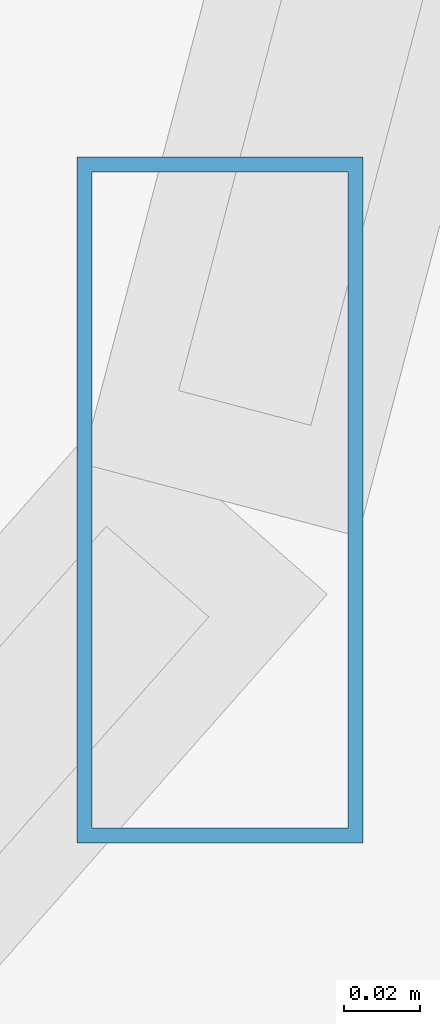
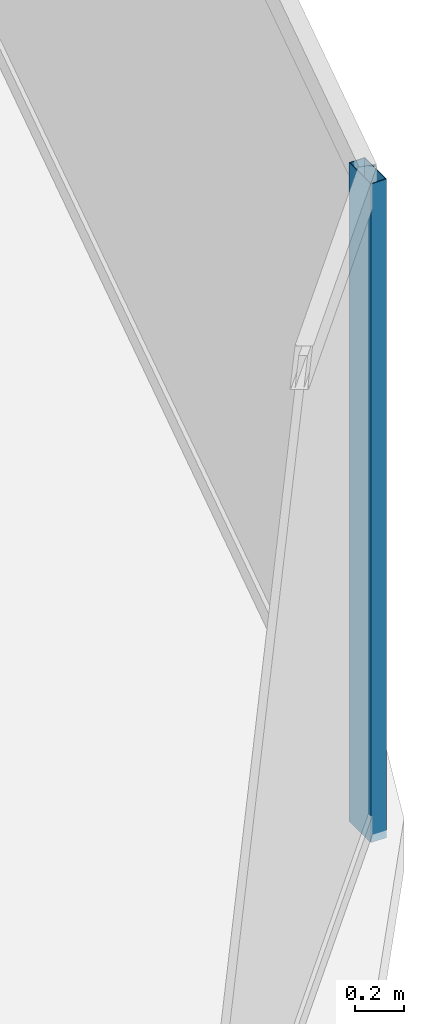
# One storey, part 14 of 31: 1 member, 1 element without a shape of its own.
"""IFC4 building model written with IfcOpenShell, lengths in metres."""

from ifc_helpers import new_model, si_unit, direction, frame, origin, origin_2d, place, context, subcontext, project, spatial, hollow_rectangle, extrude, material, material_profile, profile_set, type_object, element, aggregate, save


model = new_model("IFC4")

# Units and contexts
model_context = context("Model", 3, precision=1e-05, world=origin(), true_north=direction((0.0, 1.0)))
body_context = subcontext(model_context, "Body", "Model", "MODEL_VIEW")
ifc_project = project(units=[si_unit("LENGTHUNIT", "METRE"), si_unit("AREAUNIT", "SQUARE_METRE"), si_unit("VOLUMEUNIT", "CUBIC_METRE"), si_unit("PLANEANGLEUNIT", "RADIAN"), si_unit("MASSUNIT", "GRAM", prefix="KILO")], contexts=[model_context])

# Site, building, storey
site_placement = place(None, origin())
site = spatial("IfcSite", under=ifc_project, at=site_placement, CompositionType="ELEMENT")
building_placement = place(site_placement, origin())
building = spatial("IfcBuilding", under=site, at=building_placement, Name="Vorneva Point Tower", CompositionType="ELEMENT")
storey_placement = place(building_placement, frame((0.0, 0.0, 103.300048828125)))
storey = spatial("IfcBuildingStorey", under=building, at=storey_placement, Name="L27", CompositionType="ELEMENT", Elevation=103.300048828125)

# Curtain wall, member
ifc_material = material(Name="Pale anodised aluminium", Category="aluminium")
curtain_wall_type = type_object("IfcCurtainWallType", Name="CW-HTL-SYS", PredefinedType="NOTDEFINED", material=ifc_material)
curtain_wall_placement = place(storey_placement, origin())
curtain_wall = element("IfcCurtainWall", 1, at=curtain_wall_placement, inside=storey, type_object=curtain_wall_type, Name="L27 Unitised Curtain Wall CW-L27-R01", PredefinedType="NOTDEFINED")
ifc_material_profile = material_profile(ifc_material, hollow_rectangle(XDim=0.074951171875, YDim=0.179931640625, WallThickness=0.00390625, at=origin_2d()), Name="AL-MUL 180x75x4")
ifc_profile_set = profile_set([ifc_material_profile], Name="Pale anodised aluminium")
member_type = type_object("IfcMemberType", Name="CW-MUL-180", PredefinedType="MULLION", material=ifc_profile_set)
member_placement = place(storey_placement, frame((62.251708984375, 18.40380859375, -0.0400390625), z_axis=(0.0, 0.0, 1.0), x_axis=(1.0, 0.0, 0.0)))
member = element("IfcMember", 2, at=member_placement, type_object=member_type, Name="CW-L27-R01 Mullion 02", PredefinedType="MULLION", context=body_context, shape_type="SweptSolid", body=[
    extrude(hollow_rectangle(XDim=0.074951171875, YDim=0.179931640625, WallThickness=0.00390625, at=origin_2d()), origin(), (0.0, 0.0, 1.0), 3.31005859375),
])
aggregate(curtain_wall, [member])

save(model, "model.ifc")
